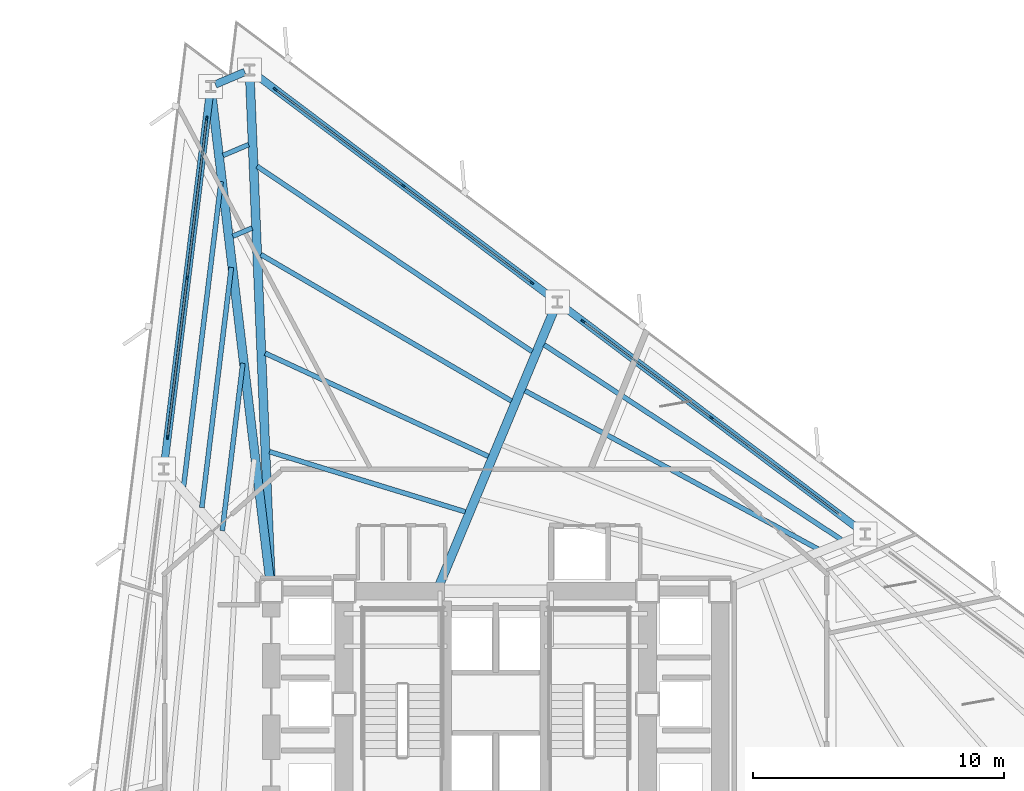
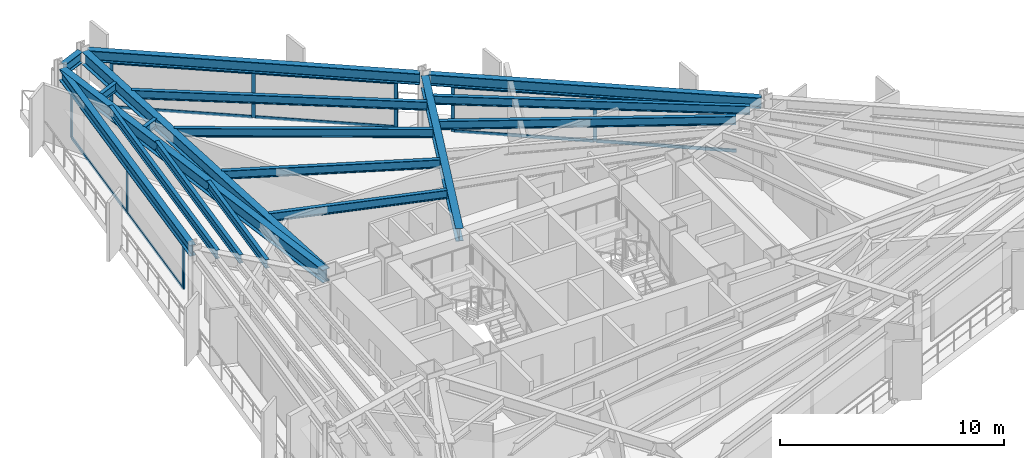
# One storey, part 5 of 13: 20 members, 18 beams, 3 elements without a shape of their own.
"""IFC4 building model written with IfcOpenShell, lengths in metres."""

from ifc_helpers import new_model, si_unit, direction, frame, origin, origin_2d, place, context, subcontext, project, spatial, rectangle, i_section, extrude, material, layer, layer_set, material_profile, profile_set, type_object, element, aggregate, save


model = new_model("IFC4")

# Units and contexts
model_context = context("Model", 3, precision=1e-05, world=origin(), true_north=direction((0.0, 1.0)))
body_context = subcontext(model_context, "Body", "Model", "MODEL_VIEW")
ifc_project = project(units=[si_unit("LENGTHUNIT", "METRE"), si_unit("AREAUNIT", "SQUARE_METRE"), si_unit("VOLUMEUNIT", "CUBIC_METRE"), si_unit("PLANEANGLEUNIT", "RADIAN"), si_unit("MASSUNIT", "GRAM", prefix="KILO")], contexts=[model_context])

# Site, building, storey
site_placement = place(None, origin())
site = spatial("IfcSite", under=ifc_project, at=site_placement, CompositionType="ELEMENT")
building_placement = place(site_placement, origin())
building = spatial("IfcBuilding", under=site, at=building_placement, Name="Rocaltana Carrier Exchange", CompositionType="ELEMENT")
storey_placement = place(building_placement, frame((0.0, 0.0, 49.60009765625)))
storey = spatial("IfcBuildingStorey", under=building, at=storey_placement, Name="L15", CompositionType="ELEMENT", Elevation=49.60009765625)

# Curtain wall, members
ifc_material_1 = material(Name="Aluminium 6063-T6", Category="aluminium")
ifc_layer = layer(ifc_material_1, 0.1650390625)
ifc_layer_set = layer_set([ifc_layer], Name="Aluminium 6063-T6")
curtain_wall_type = type_object("IfcCurtainWallType", Name="Lower-Mid Stepped Curtain Wall CW-02", PredefinedType="NOTDEFINED", material=ifc_layer_set)
curtain_wall_1_placement = place(storey_placement, origin())
curtain_wall_1 = element("IfcCurtainWall", 1, at=curtain_wall_1_placement, inside=storey, type_object=curtain_wall_type, Name="L15 CW-02 Run CW-L15-F1S2", PredefinedType="NOTDEFINED")
ifc_material_2 = material(Name="Aluminium 6063-T6", Category="aluminium")
ifc_material_profile_1 = material_profile(ifc_material_2, rectangle(XDim=0.06494140625, YDim=0.1650390625, at=origin_2d()), Name="AL-65X165")
ifc_profile_set_1 = profile_set([ifc_material_profile_1], Name="Aluminium 6063-T6")
member_type_1 = type_object("IfcMemberType", Name="CW-02 Mullion AL-65X165", PredefinedType="MULLION", material=ifc_profile_set_1)
member_1_placement = place(storey_placement, frame((8.59423828125, 11.405029296875, 0.0), z_axis=(0.0, 0.0, 1.0), x_axis=(-0.601815253533, -0.798635336443, 0.0)))
member_1 = element("IfcMember", 2, at=member_1_placement, type_object=member_type_1, Name="CW-02 mullion 2", PredefinedType="MULLION", context=body_context, shape_type="SweptSolid", body=[
    extrude(rectangle(XDim=0.06494140625, YDim=0.1650390625, at=origin_2d()), origin(), (0.0, 0.0, 1.0), 2.477783203125),
])
member_2_placement = place(storey_placement, frame((3.482421875, 15.257080078125, 0.0), z_axis=(0.0, 0.0, 1.0), x_axis=(-0.601815253533, -0.798635336443, 0.0)))
member_2 = element("IfcMember", 3, at=member_2_placement, type_object=member_type_1, Name="CW-02 mullion 3", PredefinedType="MULLION", context=body_context, shape_type="SweptSolid", body=[
    extrude(rectangle(XDim=0.06494140625, YDim=0.1650390625, at=origin_2d()), origin(), (0.0, 0.0, 1.0), 2.477783203125),
])

curtain_wall_2_placement = place(storey_placement, origin())
curtain_wall_2 = element("IfcCurtainWall", 4, at=curtain_wall_2_placement, inside=storey, type_object=curtain_wall_type, Name="L15 CW-02 Run CW-L15-F1S3", PredefinedType="NOTDEFINED")
member_3_placement = place(storey_placement, frame((1.433837890625, 16.80078125, 0.0), z_axis=(0.0, 0.0, 1.0), x_axis=(-0.601811518049, -0.79863815132, 0.0)))
member_3 = element("IfcMember", 5, at=member_3_placement, type_object=member_type_1, Name="CW-02 mullion 1", PredefinedType="MULLION", context=body_context, shape_type="SweptSolid", body=[
    extrude(rectangle(XDim=0.06494140625, YDim=0.1650390625, at=origin_2d()), origin(), (0.0, 0.0, 1.0), 2.477783203125),
])
member_4_placement = place(storey_placement, frame((-3.677978515625, 20.65283203125, 0.0), z_axis=(0.0, 0.0, 1.0), x_axis=(-0.601811518049, -0.79863815132, 0.0)))
member_4 = element("IfcMember", 6, at=member_4_placement, type_object=member_type_1, Name="CW-02 mullion 2", PredefinedType="MULLION", context=body_context, shape_type="SweptSolid", body=[
    extrude(rectangle(XDim=0.06494140625, YDim=0.1650390625, at=origin_2d()), origin(), (0.0, 0.0, 1.0), 2.477783203125),
])
member_5_placement = place(storey_placement, frame((-8.7900390625, 24.505126953125, 0.0), z_axis=(0.0, 0.0, 1.0), x_axis=(-0.601811518049, -0.79863815132, 0.0)))
member_5 = element("IfcMember", 7, at=member_5_placement, type_object=member_type_1, Name="CW-02 mullion 3", PredefinedType="MULLION", context=body_context, shape_type="SweptSolid", body=[
    extrude(rectangle(XDim=0.06494140625, YDim=0.1650390625, at=origin_2d()), origin(), (0.0, 0.0, 1.0), 2.477783203125),
])

curtain_wall_3_placement = place(storey_placement, origin())
curtain_wall_3 = element("IfcCurtainWall", 8, at=curtain_wall_3_placement, inside=storey, type_object=curtain_wall_type, Name="L15 CW-02 Run CW-L15-F2S1", PredefinedType="NOTDEFINED")
member_6_placement = place(storey_placement, frame((-11.521484375, 23.345703125, 0.0), z_axis=(0.0, 0.0, 1.0), x_axis=(0.992545748051, -0.121872630343, 0.0)))
member_6 = element("IfcMember", 9, at=member_6_placement, type_object=member_type_1, Name="CW-02 mullion 1", PredefinedType="MULLION", context=body_context, shape_type="SweptSolid", body=[
    extrude(rectangle(XDim=0.06494140625, YDim=0.1650390625, at=origin_2d()), origin(), (0.0, 0.0, 1.0), 2.477783203125),
])
member_7_placement = place(storey_placement, frame((-12.301513671875, 16.992431640625, 0.0), z_axis=(0.0, 0.0, 1.0), x_axis=(0.992545748051, -0.121872630343, 0.0)))
member_7 = element("IfcMember", 10, at=member_7_placement, type_object=member_type_1, Name="CW-02 mullion 2", PredefinedType="MULLION", context=body_context, shape_type="SweptSolid", body=[
    extrude(rectangle(XDim=0.06494140625, YDim=0.1650390625, at=origin_2d()), origin(), (0.0, 0.0, 1.0), 2.477783203125),
])
member_8_placement = place(storey_placement, frame((-13.08154296875, 10.639404296875, 0.0), z_axis=(0.0, 0.0, 1.0), x_axis=(0.992545748051, -0.121872630343, 0.0)))
member_8 = element("IfcMember", 11, at=member_8_placement, type_object=member_type_1, Name="CW-02 mullion 3", PredefinedType="MULLION", context=body_context, shape_type="SweptSolid", body=[
    extrude(rectangle(XDim=0.06494140625, YDim=0.1650390625, at=origin_2d()), origin(), (0.0, 0.0, 1.0), 2.477783203125),
])

# Member
ifc_material_3 = material(Name="Aluminium 6063-T6", Category="aluminium")
ifc_material_profile_2 = material_profile(ifc_material_3, rectangle(XDim=0.06494140625, YDim=0.1650390625, at=origin_2d()), Name="AL-65X165")
ifc_profile_set_2 = profile_set([ifc_material_profile_2], Name="Aluminium 6063-T6")
member_type_2 = type_object("IfcMemberType", Name="CW-02 Transom AL-65X165", PredefinedType="USERDEFINED", material=ifc_profile_set_2)
member_9_placement = place(storey_placement, frame((13.68017578125, 7.572509765625, 0.032470703125), z_axis=(-0.798624539829, 0.601829580847, 0.0), x_axis=(-0.601829580847, -0.798624539829, 0.0)))
member_9 = element("IfcMember", 12, at=member_9_placement, type_object=member_type_2, Name="CW-02 transom 1.1", ObjectType="TRANSOM", PredefinedType="USERDEFINED", context=body_context, shape_type="SweptSolid", body=[
    extrude(rectangle(XDim=0.06494140625, YDim=0.1650390625, at=origin_2d()), origin(), (0.0, 0.0, 1.0), 6.335693359375),
])

member_10_placement = place(storey_placement, frame((13.68017578125, 7.572509765625, 2.4453125), z_axis=(-0.798624539829, 0.601829580847, 0.0), x_axis=(-0.601829580847, -0.798624539829, 0.0)))
member_10 = element("IfcMember", 13, at=member_10_placement, type_object=member_type_2, Name="CW-02 transom 1.2", ObjectType="TRANSOM", PredefinedType="USERDEFINED", context=body_context, shape_type="SweptSolid", body=[
    extrude(rectangle(XDim=0.06494140625, YDim=0.1650390625, at=origin_2d()), origin(), (0.0, 0.0, 1.0), 6.335693359375),
])

member_11_placement = place(storey_placement, frame((8.568359375, 11.424560546875, 0.032470703125), z_axis=(-0.798638496284, 0.601811060261, 0.0), x_axis=(-0.601811060261, -0.798638496284, 0.0)))
member_11 = element("IfcMember", 14, at=member_11_placement, type_object=member_type_2, Name="CW-02 transom 2.1", ObjectType="TRANSOM", PredefinedType="USERDEFINED", context=body_context, shape_type="SweptSolid", body=[
    extrude(rectangle(XDim=0.06494140625, YDim=0.1650390625, at=origin_2d()), origin(), (0.0, 0.0, 1.0), 6.3359375),
])

member_12_placement = place(storey_placement, frame((8.568359375, 11.424560546875, 2.4453125), z_axis=(-0.798638496284, 0.601811060261, 0.0), x_axis=(-0.601811060261, -0.798638496284, 0.0)))
member_12 = element("IfcMember", 15, at=member_12_placement, type_object=member_type_2, Name="CW-02 transom 2.2", ObjectType="TRANSOM", PredefinedType="USERDEFINED", context=body_context, shape_type="SweptSolid", body=[
    extrude(rectangle(XDim=0.06494140625, YDim=0.1650390625, at=origin_2d()), origin(), (0.0, 0.0, 1.0), 6.3359375),
])

aggregate(curtain_wall_1, [member_1, member_2, member_9, member_10, member_11, member_12])

member_13_placement = place(storey_placement, frame((1.407958984375, 16.8203125, 0.032470703125), z_axis=(-0.798638496284, 0.601811060261, 0.0), x_axis=(-0.601811060261, -0.798638496284, 0.0)))
member_13 = element("IfcMember", 16, at=member_13_placement, type_object=member_type_2, Name="CW-02 transom 1.1", ObjectType="TRANSOM", PredefinedType="USERDEFINED", context=body_context, shape_type="SweptSolid", body=[
    extrude(rectangle(XDim=0.06494140625, YDim=0.1650390625, at=origin_2d()), origin(), (0.0, 0.0, 1.0), 6.3359375),
])

member_14_placement = place(storey_placement, frame((1.407958984375, 16.8203125, 2.4453125), z_axis=(-0.798638496284, 0.601811060261, 0.0), x_axis=(-0.601811060261, -0.798638496284, 0.0)))
member_14 = element("IfcMember", 17, at=member_14_placement, type_object=member_type_2, Name="CW-02 transom 1.2", ObjectType="TRANSOM", PredefinedType="USERDEFINED", context=body_context, shape_type="SweptSolid", body=[
    extrude(rectangle(XDim=0.06494140625, YDim=0.1650390625, at=origin_2d()), origin(), (0.0, 0.0, 1.0), 6.3359375),
])

member_15_placement = place(storey_placement, frame((-3.703857421875, 20.672607421875, 0.032470703125), z_axis=(-0.798638496284, 0.601811060261, 0.0), x_axis=(-0.601811060261, -0.798638496284, 0.0)))
member_15 = element("IfcMember", 18, at=member_15_placement, type_object=member_type_2, Name="CW-02 transom 2.1", ObjectType="TRANSOM", PredefinedType="USERDEFINED", context=body_context, shape_type="SweptSolid", body=[
    extrude(rectangle(XDim=0.06494140625, YDim=0.1650390625, at=origin_2d()), origin(), (0.0, 0.0, 1.0), 6.3359375),
])

member_16_placement = place(storey_placement, frame((-3.703857421875, 20.672607421875, 2.4453125), z_axis=(-0.798638496284, 0.601811060261, 0.0), x_axis=(-0.601811060261, -0.798638496284, 0.0)))
member_16 = element("IfcMember", 19, at=member_16_placement, type_object=member_type_2, Name="CW-02 transom 2.2", ObjectType="TRANSOM", PredefinedType="USERDEFINED", context=body_context, shape_type="SweptSolid", body=[
    extrude(rectangle(XDim=0.06494140625, YDim=0.1650390625, at=origin_2d()), origin(), (0.0, 0.0, 1.0), 6.3359375),
])

aggregate(curtain_wall_2, [member_3, member_4, member_5, member_13, member_14, member_15, member_16])

member_17_placement = place(storey_placement, frame((-11.525390625, 23.3134765625, 0.032470703125), z_axis=(-0.12187665048, -0.992545254418, 0.0), x_axis=(0.992545254418, -0.12187665048, 0.0)))
member_17 = element("IfcMember", 20, at=member_17_placement, type_object=member_type_2, Name="CW-02 transom 1.1", ObjectType="TRANSOM", PredefinedType="USERDEFINED", context=body_context, shape_type="SweptSolid", body=[
    extrude(rectangle(XDim=0.06494140625, YDim=0.1650390625, at=origin_2d()), origin(), (0.0, 0.0, 1.0), 6.3359375),
])

member_18_placement = place(storey_placement, frame((-11.525390625, 23.3134765625, 2.4453125), z_axis=(-0.12187665048, -0.992545254418, 0.0), x_axis=(0.992545254418, -0.12187665048, 0.0)))
member_18 = element("IfcMember", 21, at=member_18_placement, type_object=member_type_2, Name="CW-02 transom 1.2", ObjectType="TRANSOM", PredefinedType="USERDEFINED", context=body_context, shape_type="SweptSolid", body=[
    extrude(rectangle(XDim=0.06494140625, YDim=0.1650390625, at=origin_2d()), origin(), (0.0, 0.0, 1.0), 6.3359375),
])

member_19_placement = place(storey_placement, frame((-12.305419921875, 16.960205078125, 0.032470703125), z_axis=(-0.121881311797, -0.992544682034, 0.0), x_axis=(0.992544682034, -0.121881311797, 0.0)))
member_19 = element("IfcMember", 22, at=member_19_placement, type_object=member_type_2, Name="CW-02 transom 2.1", ObjectType="TRANSOM", PredefinedType="USERDEFINED", context=body_context, shape_type="SweptSolid", body=[
    extrude(rectangle(XDim=0.06494140625, YDim=0.1650390625, at=origin_2d()), origin(), (0.0, 0.0, 1.0), 6.335693359375),
])

member_20_placement = place(storey_placement, frame((-12.305419921875, 16.960205078125, 2.4453125), z_axis=(-0.121881311797, -0.992544682034, 0.0), x_axis=(0.992544682034, -0.121881311797, 0.0)))
member_20 = element("IfcMember", 23, at=member_20_placement, type_object=member_type_2, Name="CW-02 transom 2.2", ObjectType="TRANSOM", PredefinedType="USERDEFINED", context=body_context, shape_type="SweptSolid", body=[
    extrude(rectangle(XDim=0.06494140625, YDim=0.1650390625, at=origin_2d()), origin(), (0.0, 0.0, 1.0), 6.335693359375),
])

aggregate(curtain_wall_3, [member_6, member_7, member_8, member_17, member_18, member_19, member_20])

# Beams
ifc_material_4 = material(Name="Steel S355", Category="steel")
ifc_material_profile_3 = material_profile(ifc_material_4, i_section(OverallWidth=0.193115234375, OverallDepth=0.466064453125, WebThickness=0.011474609375, FlangeThickness=0.01904296875, FilletRadius=0.013916015625, at=origin_2d()), Name="W18X65")
ifc_profile_set_3 = profile_set([ifc_material_profile_3], Name="Steel S355")
beam_type_1 = type_object("IfcBeamType", Name="Floor Joist W18X65", PredefinedType="JOIST", material=ifc_profile_set_3)
beam_1_placement = place(storey_placement, frame((12.845458984375, 6.17822265625, 2.864990234375), z_axis=(-0.879782188298, 0.475377009493, 0.0), x_axis=(-0.475377009493, -0.879782188298, 0.0)))
element("IfcBeam", 24, at=beam_1_placement, inside=storey, type_object=beam_type_1, Name="FJ-L15-02-3", PredefinedType="JOIST", context=body_context, shape_type="SweptSolid", body=[
    extrude(i_section(OverallWidth=0.193115234375, OverallDepth=0.466064453125, WebThickness=0.011474609375, FlangeThickness=0.01904296875, FilletRadius=0.013916015625, at=origin_2d()), origin(), (0.0, 0.0, 1.0), 13.27490234375),
])
beam_2_placement = place(storey_placement, frame((13.77783203125, 6.5556640625, 2.864990234375), z_axis=(-0.836404193047, 0.548113150593, 0.0), x_axis=(-0.548113150593, -0.836404193047, 0.0)))
element("IfcBeam", 25, at=beam_2_placement, inside=storey, type_object=beam_type_1, Name="FJ-L15-02-4", PredefinedType="JOIST", context=body_context, shape_type="SweptSolid", body=[
    extrude(i_section(OverallWidth=0.193115234375, OverallDepth=0.466064453125, WebThickness=0.011474609375, FlangeThickness=0.01904296875, FilletRadius=0.013916015625, at=origin_2d()), origin(), (0.0, 0.0, 1.0), 14.1669921875),
])
beam_3_placement = place(storey_placement, frame((-1.2158203125, 7.6630859375, 2.864990234375), z_axis=(-0.955945046832, 0.293545682028, 0.0), x_axis=(-0.293545682028, -0.955945046832, 0.0)))
element("IfcBeam", 26, at=beam_3_placement, inside=storey, type_object=beam_type_1, Name="FJ-L15-03-1", PredefinedType="JOIST", context=body_context, shape_type="SweptSolid", body=[
    extrude(i_section(OverallWidth=0.193115234375, OverallDepth=0.466064453125, WebThickness=0.011474609375, FlangeThickness=0.01904296875, FilletRadius=0.013916015625, at=origin_2d()), origin(), (0.0, 0.0, 1.0), 8.1630859375),
])
beam_4_placement = place(storey_placement, frame((-0.2939453125, 9.875244140625, 2.864990234375), z_axis=(-0.907819359588, 0.419361431653, 0.0), x_axis=(-0.419361431653, -0.907819359588, 0.0)))
element("IfcBeam", 27, at=beam_4_placement, inside=storey, type_object=beam_type_1, Name="FJ-L15-03-2", PredefinedType="JOIST", context=body_context, shape_type="SweptSolid", body=[
    extrude(i_section(OverallWidth=0.193115234375, OverallDepth=0.466064453125, WebThickness=0.011474609375, FlangeThickness=0.01904296875, FilletRadius=0.013916015625, at=origin_2d()), origin(), (0.0, 0.0, 1.0), 9.801513671875),
])
beam_5_placement = place(storey_placement, frame((0.627197265625, 12.080322265625, 2.864990234375), z_axis=(-0.863399873856, 0.504520225387, 0.0), x_axis=(-0.504520225387, -0.863399873856, 0.0)))
element("IfcBeam", 28, at=beam_5_placement, inside=storey, type_object=beam_type_1, Name="FJ-L15-03-3", PredefinedType="JOIST", context=body_context, shape_type="SweptSolid", body=[
    extrude(i_section(OverallWidth=0.193115234375, OverallDepth=0.466064453125, WebThickness=0.011474609375, FlangeThickness=0.01904296875, FilletRadius=0.013916015625, at=origin_2d()), origin(), (0.0, 0.0, 1.0), 11.57177734375),
])
beam_6_placement = place(storey_placement, frame((1.450439453125, 14.049560546875, 2.864990234375), z_axis=(-0.829233693301, 0.558902032466, 0.0), x_axis=(-0.558902032466, -0.829233693301, 0.0)))
element("IfcBeam", 29, at=beam_6_placement, inside=storey, type_object=beam_type_1, Name="FJ-L15-03-4", PredefinedType="JOIST", context=body_context, shape_type="SweptSolid", body=[
    extrude(i_section(OverallWidth=0.193115234375, OverallDepth=0.466064453125, WebThickness=0.011474609375, FlangeThickness=0.01904296875, FilletRadius=0.013916015625, at=origin_2d()), origin(), (0.0, 0.0, 1.0), 13.22509765625),
])
beam_7_placement = place(storey_placement, frame((-9.712890625, 18.976806640625, 2.864990234375), z_axis=(-0.92048318346, -0.390782175857, 0.0), x_axis=(0.390782175857, -0.92048318346, 0.0)))
element("IfcBeam", 30, at=beam_7_placement, inside=storey, type_object=beam_type_1, Name="FJ-L15-04-3", PredefinedType="JOIST", context=body_context, shape_type="SweptSolid", body=[
    extrude(i_section(OverallWidth=0.193115234375, OverallDepth=0.466064453125, WebThickness=0.011474609375, FlangeThickness=0.01904296875, FilletRadius=0.013916015625, at=origin_2d()), origin(), (0.0, 0.0, 1.0), 0.83642578125),
])
beam_8_placement = place(storey_placement, frame((-9.85107421875, 22.301025390625, 2.864990234375), z_axis=(-0.920509615817, -0.390719908872, 0.0), x_axis=(0.390719908872, -0.920509615817, 0.0)))
element("IfcBeam", 31, at=beam_8_placement, inside=storey, type_object=beam_type_1, Name="FJ-L15-04-4", PredefinedType="JOIST", context=body_context, shape_type="SweptSolid", body=[
    extrude(i_section(OverallWidth=0.193115234375, OverallDepth=0.466064453125, WebThickness=0.011474609375, FlangeThickness=0.01904296875, FilletRadius=0.013916015625, at=origin_2d()), origin(), (0.0, 0.0, 1.0), 1.10595703125),
])
beam_9_placement = place(storey_placement, frame((-10.081787109375, 13.584228515625, 2.864990234375), z_axis=(-0.121894438401, -0.992543070041, 0.0), x_axis=(0.992543070041, -0.121894438401, 0.0)))
element("IfcBeam", 32, at=beam_9_placement, inside=storey, type_object=beam_type_1, Name="FJ-L15-05-2", PredefinedType="JOIST", context=body_context, shape_type="SweptSolid", body=[
    extrude(i_section(OverallWidth=0.193115234375, OverallDepth=0.466064453125, WebThickness=0.011474609375, FlangeThickness=0.01904296875, FilletRadius=0.013916015625, at=origin_2d()), origin(), (0.0, 0.0, 1.0), 6.7255859375),
])
beam_10_placement = place(storey_placement, frame((-10.540771484375, 17.406982421875, 2.864990234375), z_axis=(-0.121875552726, -0.992545389213, 0.0), x_axis=(0.992545389213, -0.121875552726, 0.0)))
element("IfcBeam", 33, at=beam_10_placement, inside=storey, type_object=beam_type_1, Name="FJ-L15-05-3", PredefinedType="JOIST", context=body_context, shape_type="SweptSolid", body=[
    extrude(i_section(OverallWidth=0.193115234375, OverallDepth=0.466064453125, WebThickness=0.011474609375, FlangeThickness=0.01904296875, FilletRadius=0.013916015625, at=origin_2d()), origin(), (0.0, 0.0, 1.0), 9.6455078125),
])
beam_11_placement = place(storey_placement, frame((-10.951416015625, 20.826904296875, 2.864990234375), z_axis=(-0.121874778131, -0.992545484326, 0.0), x_axis=(0.992545484326, -0.121874778131, 0.0)))
element("IfcBeam", 34, at=beam_11_placement, inside=storey, type_object=beam_type_1, Name="FJ-L15-05-4", PredefinedType="JOIST", context=body_context, shape_type="SweptSolid", body=[
    extrude(i_section(OverallWidth=0.193115234375, OverallDepth=0.466064453125, WebThickness=0.011474609375, FlangeThickness=0.01904296875, FilletRadius=0.013916015625, at=origin_2d()), origin(), (0.0, 0.0, 1.0), 12.257568359375),
])
ifc_material_5 = material(Name="Steel S355", Category="steel")
ifc_material_profile_4 = material_profile(ifc_material_5, i_section(OverallWidth=0.35498046875, OverallDepth=0.695068359375, WebThickness=0.015380859375, FlangeThickness=0.02490234375, FilletRadius=0.01806640625, at=origin_2d()), Name="W27X146")
ifc_profile_set_4 = profile_set([ifc_material_profile_4], Name="Steel S355")
beam_type_2 = type_object("IfcBeamType", Name="Radial Girder W27X146", PredefinedType="BEAM", material=ifc_profile_set_4)
beam_12_placement = place(storey_placement, frame((-2.2568359375, 4.723388671875, 2.75048828125), z_axis=(0.384913271057, 0.922952747308, 0.0), x_axis=(-0.922952747308, 0.384913271057, 0.0)))
element("IfcBeam", 35, at=beam_12_placement, inside=storey, type_object=beam_type_2, Name="RG-L15-03", PredefinedType="BEAM", context=body_context, shape_type="SweptSolid", body=[
    extrude(i_section(OverallWidth=0.35498046875, OverallDepth=0.695068359375, WebThickness=0.015380859375, FlangeThickness=0.02490234375, FilletRadius=0.01806640625, at=origin_2d()), origin(), (0.0, 0.0, 1.0), 12.04541015625),
])
beam_13_placement = place(storey_placement, frame((-8.969482421875, 4.966552734375, 2.75048828125), z_axis=(-0.041551823775, 0.999136350025, 0.0), x_axis=(-0.999136350025, -0.041551823775, 0.0)))
element("IfcBeam", 36, at=beam_13_placement, inside=storey, type_object=beam_type_2, Name="RG-L15-04", PredefinedType="BEAM", context=body_context, shape_type="SweptSolid", body=[
    extrude(i_section(OverallWidth=0.35498046875, OverallDepth=0.695068359375, WebThickness=0.015380859375, FlangeThickness=0.02490234375, FilletRadius=0.01806640625, at=origin_2d()), origin(), (0.0, 0.0, 1.0), 20.123779296875),
])
beam_14_placement = place(storey_placement, frame((-9.005615234375, 4.963623046875, 2.75048828125), z_axis=(-0.119191409492, 0.992871294732, 0.0), x_axis=(-0.992871294732, -0.119191409492, 0.0)))
element("IfcBeam", 37, at=beam_14_placement, inside=storey, type_object=beam_type_2, Name="RG-L15-05", PredefinedType="BEAM", context=body_context, shape_type="SweptSolid", body=[
    extrude(i_section(OverallWidth=0.35498046875, OverallDepth=0.695068359375, WebThickness=0.015380859375, FlangeThickness=0.02490234375, FilletRadius=0.01806640625, at=origin_2d()), origin(), (0.0, 0.0, 1.0), 19.592041015625),
])
ifc_material_6 = material(Name="Steel S355", Category="steel")
ifc_material_profile_5 = material_profile(ifc_material_6, i_section(OverallWidth=0.300048828125, OverallDepth=0.60009765625, WebThickness=0.015380859375, FlangeThickness=0.030029296875, FilletRadius=0.027099609375, at=origin_2d()), Name="HEB600")
ifc_profile_set_5 = profile_set([ifc_material_profile_5], Name="Steel S355")
beam_type_3 = type_object("IfcBeamType", Name="Spandrel Edge Beam HEB600", PredefinedType="SPANDREL", material=ifc_profile_set_5)
for number, where, z_axis, x_axis, name in (
    (38, (14.567626953125, 6.90380859375, 2.7978515625), (-0.798632845578, 0.601818559006, 0.0), (-0.601818559006, -0.798632845578, 0.0), "SP-L15-02"),
    (39, (2.29541015625, 16.15185546875, 2.7978515625), (-0.798646600906, 0.601800304803, 0.0), (-0.601800304803, -0.798646600906, 0.0), "SP-L15-03"),
):
    element("IfcBeam", number, at=place(storey_placement, frame(where, z_axis=z_axis, x_axis=x_axis)), inside=storey, type_object=beam_type_3, Name=name, PredefinedType="SPANDREL", context=body_context, shape_type="SweptSolid", body=[
        extrude(i_section(OverallWidth=0.300048828125, OverallDepth=0.60009765625, WebThickness=0.015380859375, FlangeThickness=0.030029296875, FilletRadius=0.027099609375, at=origin_2d()), origin(), (0.0, 0.0, 1.0), 14.958740234375),
    ])
beam_15_placement = place(storey_placement, frame((-10.001953125, 25.197265625, 2.7978515625), z_axis=(-0.920494280751, -0.390756035276, 0.0), x_axis=(0.390756035276, -0.920494280751, 0.0)))
element("IfcBeam", 40, at=beam_15_placement, inside=storey, type_object=beam_type_3, Name="SP-L15-04", PredefinedType="SPANDREL", context=body_context, shape_type="SweptSolid", body=[
    extrude(i_section(OverallWidth=0.300048828125, OverallDepth=0.60009765625, WebThickness=0.015380859375, FlangeThickness=0.030029296875, FilletRadius=0.027099609375, at=origin_2d()), origin(), (0.0, 0.0, 1.0), 1.277099609375),
])
beam_16_placement = place(storey_placement, frame((-11.39013671875, 24.416015625, 2.7978515625), z_axis=(-0.12185293856, -0.992548165765, 0.0), x_axis=(0.992548165765, -0.12185293856, 0.0)))
element("IfcBeam", 41, at=beam_16_placement, inside=storey, type_object=beam_type_3, Name="SP-L15-05", PredefinedType="SPANDREL", context=body_context, shape_type="SweptSolid", body=[
    extrude(i_section(OverallWidth=0.300048828125, OverallDepth=0.60009765625, WebThickness=0.015380859375, FlangeThickness=0.030029296875, FilletRadius=0.027099609375, at=origin_2d()), origin(), (0.0, 0.0, 1.0), 14.958740234375),
])

save(model, "model.ifc")
